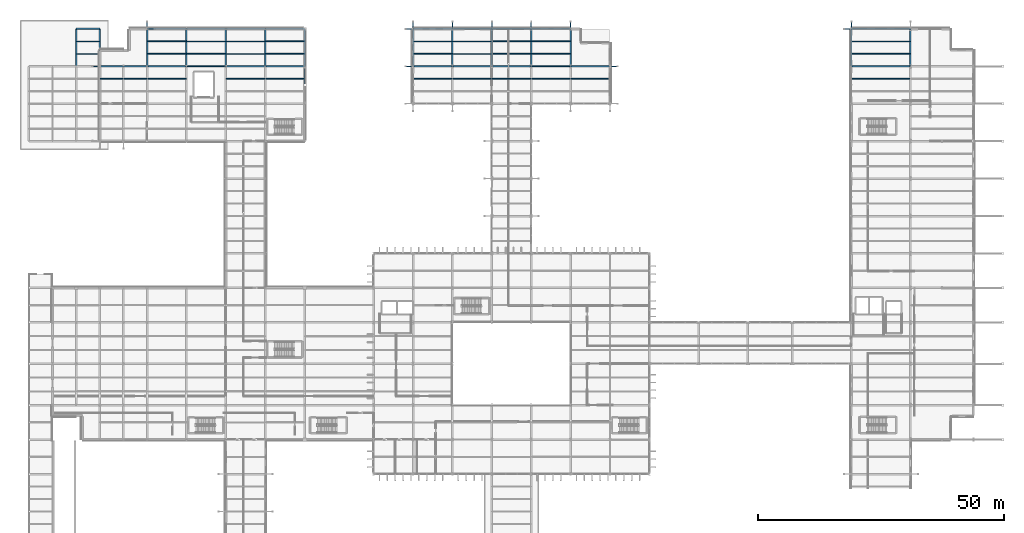
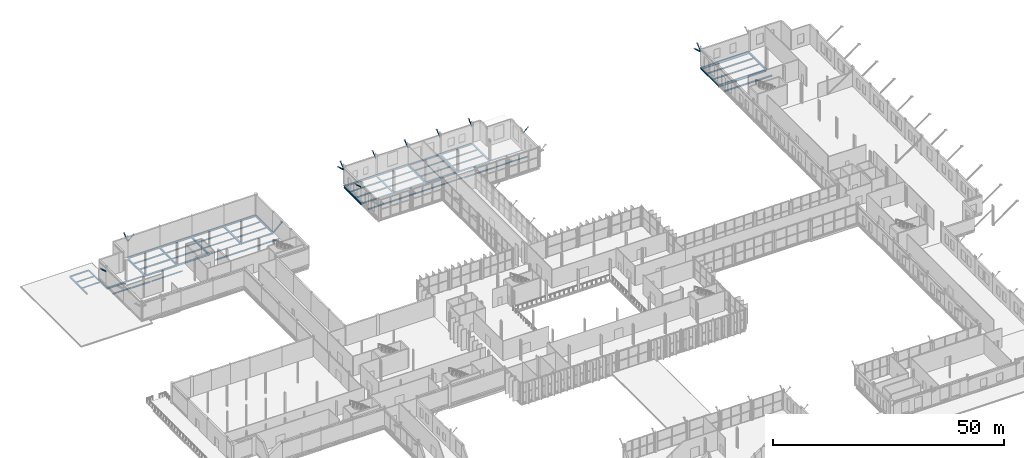
# One storey, part 97 of 147: 67 beams, 14 members.
"""IFC4 building model written with IfcOpenShell, lengths in metres."""

import ifcopenshell
import ifcopenshell.guid

model = None  # the IFC model being written
_history = None  # IfcOwnerHistory: only IFC2X3 demands one
_inside = {}  # id of a spatial element -> (the spatial element, [elements in it])
_under = {}  # id of a project, library or spatial element -> (it, [spatial elements below it])
_declared = {}  # id of a project -> (the project, [libraries it declares])
_typed = {}  # id of a type object -> (the type object, [elements of that type])
_made_of = {}  # id of a material, layer set ... -> (it, [elements and type objects made of it])


def new_model(schema):
    """Start an empty IFC model of exactly this schema.

    Asked for "IFC4X3", IfcOpenShell would pick the latest addendum, in which some entities
    have other attributes; the version numbers below select the first issue.
    IFC2X3 requires an IfcOwnerHistory on every rooted entity: one is made here for all.
    """
    global model, _history
    if schema == "IFC4X3":
        model = ifcopenshell.file(schema_version=(4, 3, 0, 0))
    else:
        model = ifcopenshell.file(schema=schema)
    _inside.clear()
    _under.clear()
    _declared.clear()
    _typed.clear()
    _made_of.clear()
    _history = None
    if model.schema == "IFC2X3":
        org = make("IfcOrganization", Name="unknown")
        user = make(
            "IfcPersonAndOrganization",
            ThePerson=make("IfcPerson", FamilyName="unknown"),
            TheOrganization=org,
        )
        app = make(
            "IfcApplication",
            ApplicationDeveloper=org,
            Version="unknown",
            ApplicationFullName="unknown",
            ApplicationIdentifier="unknown",
        )
        _history = make(
            "IfcOwnerHistory",
            OwningUser=user,
            OwningApplication=app,
            ChangeAction="ADDED",
            CreationDate=0,
        )
    return model


def make(cls, **values):
    """One entity of the class cls with the attributes given. An attribute that is None is left unset."""
    return model.create_entity(
        cls, **{name: value for name, value in values.items() if value is not None}
    )


def rooted(cls, **values):
    """An entity with a GlobalId (a new one), such as an element, a storey or a relation."""
    return make(cls, GlobalId=ifcopenshell.guid.new(), OwnerHistory=_history, **values)


def si_unit(unit_type, name, prefix=None):
    """IfcSIUnit, for example si_unit("LENGTHUNIT", "METRE", prefix="MILLI")."""
    return make("IfcSIUnit", UnitType=unit_type, Prefix=prefix, Name=name)


def assignment(units):
    """IfcUnitAssignment: the units of a project."""
    return None if units is None else make("IfcUnitAssignment", Units=units)


def point(xyz):
    """IfcCartesianPoint."""
    return None if xyz is None else make("IfcCartesianPoint", Coordinates=xyz)


def direction(xyz):
    """IfcDirection."""
    return None if xyz is None else make("IfcDirection", DirectionRatios=xyz)


def frame(location, z_axis=None, x_axis=None):
    """IfcAxis2Placement3D, a coordinate frame: its origin and axes. An axis left out is left unset."""
    return make(
        "IfcAxis2Placement3D",
        Location=point(location),
        Axis=direction(z_axis),
        RefDirection=direction(x_axis),
    )


def frame_2d(location, x_axis=None):
    """IfcAxis2Placement2D, a coordinate frame in the plane: its origin and x axis."""
    return make(
        "IfcAxis2Placement2D", Location=point(location), RefDirection=direction(x_axis)
    )


def origin():
    """The frame at (0, 0, 0) with its axes left unset."""
    return frame((0.0, 0.0, 0.0))


def origin_2d():
    """The frame at (0, 0) in the plane with its x axis left unset."""
    return frame_2d((0.0, 0.0))


def place(relative_to, where):
    """IfcLocalPlacement: puts the frame where relative to a parent placement (None: the world)."""
    return make(
        "IfcLocalPlacement", PlacementRelTo=relative_to, RelativePlacement=where
    )


def context(
    kind, dimensions, precision=None, world=None, true_north=None, identifier=None
):
    """IfcGeometricRepresentationContext, for example the 3D "Model" context."""
    return make(
        "IfcGeometricRepresentationContext",
        ContextIdentifier=identifier,
        ContextType=kind,
        CoordinateSpaceDimension=dimensions,
        Precision=precision,
        WorldCoordinateSystem=world,
        TrueNorth=true_north,
    )


def subcontext(parent, identifier, kind, view, scale=None):
    """IfcGeometricRepresentationSubContext, for example "Body" below "Model"."""
    return make(
        "IfcGeometricRepresentationSubContext",
        ContextIdentifier=identifier,
        ContextType=kind,
        ParentContext=parent,
        TargetScale=scale,
        TargetView=view,
    )


def project(units=None, contexts=None):
    """IfcProject with its units and contexts."""
    return rooted(
        "IfcProject",
        Name="project",
        RepresentationContexts=contexts,
        UnitsInContext=assignment(units),
    )


def spatial(cls, under=None, at=None, **own):
    """A site, building, storey or space (cls), placed at a placement, below another one or the project."""
    s = rooted(cls, ObjectPlacement=at, **own)
    if under is not None:
        _under.setdefault(under.id(), (under, []))[1].append(s)
    return s


def profile(cls, at=None, kind="AREA", **sizes):
    """A parametric profile (cls). Its sizes go by their IFC names, for example OverallWidth=200.0."""
    return make(cls, ProfileType=kind, Position=at, **sizes)


def hollow_rectangle(**sizes):
    """IfcRectangleHollowProfileDef."""
    return profile("IfcRectangleHollowProfileDef", **sizes)


def i_section(**sizes):
    """IfcIShapeProfileDef."""
    return profile("IfcIShapeProfileDef", **sizes)


def extrude(swept, where, along, depth):
    """IfcExtrudedAreaSolid: the profile swept, set in the frame where, extruded along a direction by depth."""
    return make(
        "IfcExtrudedAreaSolid",
        SweptArea=swept,
        Position=where,
        ExtrudedDirection=direction(along),
        Depth=depth,
    )


def shape(context_of_items, identifier, shape_type, items):
    """IfcShapeRepresentation: the items that make up one representation, for example the "Body"."""
    return make(
        "IfcShapeRepresentation",
        ContextOfItems=context_of_items,
        RepresentationIdentifier=identifier,
        RepresentationType=shape_type,
        Items=items,
    )


def material(Name=None, Category=None):
    """IfcMaterial."""
    return make("IfcMaterial", Name=Name, Category=Category)


def material_profile(
    of_material, cross_section, Name=None, Category=None, Priority=None
):
    """IfcMaterialProfile: a cross section and its material."""
    return make(
        "IfcMaterialProfile",
        Name=Name,
        Material=of_material,
        Profile=cross_section,
        Priority=Priority,
        Category=Category,
    )


def profile_set(profiles, Name=None, composite=None):
    """IfcMaterialProfileSet."""
    return make(
        "IfcMaterialProfileSet",
        Name=Name,
        MaterialProfiles=profiles,
        CompositeProfile=composite,
    )


def made_of(thing, what):
    """Note that an element or type object is made of a material, layer set ...; save() writes the relation."""
    if what is not None:
        _made_of.setdefault(what.id(), (what, []))[1].append(thing)
    return thing


def type_object(cls, material=None, **own):
    """A type object (cls), such as IfcWallType, which elements share."""
    return made_of(rooted(cls, **own), material)


def element(
    cls,
    number,
    at=None,
    inside=None,
    cuts=None,
    type_object=None,
    material=None,
    context=None,
    identifier="Body",
    shape_type=None,
    held_by="IfcProductDefinitionShape",
    body=None,
    shapes=None,
    **own,
):
    """One element of the class cls, such as IfcWall. Its Tag is "e" and its number.

    at: its placement. inside: the storey or other place that contains it. cuts: it is an
    opening in that element (IfcRelVoidsElement). A single representation is given by context,
    identifier, shape_type and body (its items); several are given by shapes. held_by: the class
    of the entity that holds the representations. save() writes the other relations.
    """
    e = rooted(cls, Tag="e%d" % number, ObjectPlacement=at, **own)
    if body is not None:
        shapes = [shape(context, identifier, shape_type, body)]
    if shapes is not None:
        e.Representation = make(held_by, Representations=shapes)
    if inside is not None:
        _inside.setdefault(inside.id(), (inside, []))[1].append(e)
    if cuts is not None:
        rooted(
            "IfcRelVoidsElement", RelatingBuildingElement=cuts, RelatedOpeningElement=e
        )
    if type_object is not None:
        _typed.setdefault(type_object.id(), (type_object, []))[1].append(e)
    return made_of(e, material)


def aggregate(whole, parts):
    """IfcRelAggregates: a whole, such as a stair, and the parts it consists of."""
    return rooted("IfcRelAggregates", RelatingObject=whole, RelatedObjects=parts)


def save(model, path):
    """Write the relations noted so far, then the file.

    IfcRelAggregates (storeys below a building ...), IfcRelContainedInSpatialStructure (elements
    in a storey), IfcRelDefinesByType, IfcRelAssociatesMaterial and IfcRelDeclares: one each for
    every whole, place, type object, material and project.
    """
    for whole, parts in _under.values():
        aggregate(whole, parts)
    for where, things in _inside.values():
        rooted(
            "IfcRelContainedInSpatialStructure",
            RelatedElements=things,
            RelatingStructure=where,
        )
    for kind, things in _typed.values():
        rooted("IfcRelDefinesByType", RelatedObjects=things, RelatingType=kind)
    for what, things in _made_of.values():
        rooted("IfcRelAssociatesMaterial", RelatedObjects=things, RelatingMaterial=what)
    for by, libraries in _declared.values():
        rooted("IfcRelDeclares", RelatingContext=by, RelatedDefinitions=libraries)
    model.write(path)


model = new_model("IFC4")

# Units and contexts
model_context = context("Model", 3, precision=1e-05, world=origin(), true_north=direction((0.0, 1.0)))
body_context = subcontext(model_context, "Body", "Model", "MODEL_VIEW")
ifc_project = project(units=[si_unit("LENGTHUNIT", "METRE"), si_unit("AREAUNIT", "SQUARE_METRE"), si_unit("VOLUMEUNIT", "CUBIC_METRE"), si_unit("PLANEANGLEUNIT", "RADIAN"), si_unit("MASSUNIT", "GRAM", prefix="KILO")], contexts=[model_context])

# Site, building, storey
site_placement = place(None, origin())
site = spatial("IfcSite", under=ifc_project, at=site_placement, CompositionType="ELEMENT")
building_placement = place(site_placement, origin())
building = spatial("IfcBuilding", under=site, at=building_placement, Name="Vekula Escarpment Museum", CompositionType="ELEMENT")
storey_placement = place(building_placement, frame((0.0, 0.0, 7.800048828125)))
storey = spatial("IfcBuildingStorey", under=building, at=storey_placement, Name="L02", CompositionType="ELEMENT", Elevation=7.800048828125)

# Beams
ifc_material_1 = material(Name="Steel S355", Category="steel")
ifc_material_profile_1 = material_profile(ifc_material_1, i_section(OverallWidth=0.280029296875, OverallDepth=0.280029296875, WebThickness=0.010498046875, FlangeThickness=0.01806640625, FilletRadius=0.02392578125, at=origin_2d()), Name="HEB 280")
ifc_profile_set_1 = profile_set([ifc_material_profile_1], Name="Steel S355")
beam_type_1 = type_object("IfcBeamType", Name="BM-GIRD-HEB280", PredefinedType="BEAM", material=ifc_profile_set_1)
beam_1_placement = place(storey_placement, frame((19.199951171875, 128.39990234375, -0.4599609375), z_axis=(1.0, 0.0, 0.0), x_axis=(0.0, 1.0, 0.0)))
element("IfcBeam", 1, at=beam_1_placement, inside=storey, type_object=beam_type_1, Name="Beam X L02 0999", PredefinedType="BEAM", context=body_context, shape_type="SweptSolid", body=[
    extrude(i_section(OverallWidth=0.280029296875, OverallDepth=0.280029296875, WebThickness=0.010498046875, FlangeThickness=0.01806640625, FilletRadius=0.02392578125, at=origin_2d()), origin(), (0.0, 0.0, 1.0), 4.800048828125),
])
ifc_material_2 = material(Name="Steel S355", Category="steel")
ifc_material_profile_2 = material_profile(ifc_material_2, i_section(OverallWidth=0.300048828125, OverallDepth=0.300048828125, WebThickness=0.010986328125, FlangeThickness=0.01904296875, FilletRadius=0.027099609375, at=origin_2d()), Name="HEB 300")
ifc_profile_set_2 = profile_set([ifc_material_profile_2], Name="Steel S355")
beam_type_2 = type_object("IfcBeamType", Name="BM-GIRD-HEB300", PredefinedType="BEAM", material=ifc_profile_set_2)
for number, where, z_axis, x_axis, name in (
    (2, (48.0, 128.39990234375, -0.469970703125), (1.0, 0.0, 0.0), (0.0, 1.0, 0.0), "Beam X L02 1003"),
    (3, (78.0, 128.39990234375, -0.41015625), (1.0, 0.0, 0.0), (0.0, 1.0, 0.0), "Beam X L02 1004"),
):
    element("IfcBeam", number, at=place(storey_placement, frame(where, z_axis=z_axis, x_axis=x_axis)), inside=storey, type_object=beam_type_2, Name=name, PredefinedType="BEAM", context=body_context, shape_type="SweptSolid", body=[
        extrude(i_section(OverallWidth=0.300048828125, OverallDepth=0.300048828125, WebThickness=0.010986328125, FlangeThickness=0.01904296875, FilletRadius=0.027099609375, at=origin_2d()), origin(), (0.0, 0.0, 1.0), 8.0),
    ])
ifc_material_3 = material(Name="Steel S355", Category="steel")
ifc_material_profile_3 = material_profile(ifc_material_3, i_section(OverallWidth=0.300048828125, OverallDepth=0.360107421875, WebThickness=0.012451171875, FlangeThickness=0.0224609375, FilletRadius=0.027099609375, at=origin_2d()), Name="HEB 360")
ifc_profile_set_3 = profile_set([ifc_material_profile_3], Name="Steel S355")
beam_type_3 = type_object("IfcBeamType", Name="BM-GIRD-HEB360", PredefinedType="BEAM", material=ifc_profile_set_3)
beam_2_placement = place(storey_placement, frame((86.0, 128.39990234375, -0.43994140625), z_axis=(1.0, 0.0, 0.0), x_axis=(0.0, 1.0, 0.0)))
element("IfcBeam", 4, at=beam_2_placement, inside=storey, type_object=beam_type_3, Name="Beam X L02 1005", PredefinedType="BEAM", context=body_context, shape_type="SweptSolid", body=[
    extrude(i_section(OverallWidth=0.300048828125, OverallDepth=0.360107421875, WebThickness=0.012451171875, FlangeThickness=0.0224609375, FilletRadius=0.027099609375, at=origin_2d()), origin(), (0.0, 0.0, 1.0), 8.0),
])
ifc_material_4 = material(Name="Steel S355", Category="steel")
ifc_material_profile_4 = material_profile(ifc_material_4, i_section(OverallWidth=0.300048828125, OverallDepth=0.449951171875, WebThickness=0.013916015625, FlangeThickness=0.02587890625, FilletRadius=0.027099609375, at=origin_2d()), Name="HEB 450")
ifc_profile_set_4 = profile_set([ifc_material_profile_4], Name="Steel S355")
beam_type_4 = type_object("IfcBeamType", Name="BM-GIRD-HEB450", PredefinedType="BEAM", material=ifc_profile_set_4)
beam_3_placement = place(storey_placement, frame((14.39990234375, 128.39990234375, -0.545166015625), z_axis=(1.0, 0.0, 0.0), x_axis=(0.0, 1.0, 0.0)))
element("IfcBeam", 5, at=beam_3_placement, inside=storey, type_object=beam_type_4, Name="Beam X L02 0998", PredefinedType="BEAM", context=body_context, shape_type="SweptSolid", body=[
    extrude(i_section(OverallWidth=0.300048828125, OverallDepth=0.449951171875, WebThickness=0.013916015625, FlangeThickness=0.02587890625, FilletRadius=0.027099609375, at=origin_2d()), origin(), (0.0, 0.0, 1.0), 4.800048828125),
])
for number, where, z_axis, x_axis, name in (
    (6, (24.0, 128.39990234375, -0.545166015625), (1.0, 0.0, 0.0), (0.0, 1.0, 0.0), "Beam X L02 1000"),
    (7, (94.0, 128.39990234375, -0.485107421875), (1.0, 0.0, 0.0), (0.0, 1.0, 0.0), "Beam X L02 1006"),
):
    element("IfcBeam", number, at=place(storey_placement, frame(where, z_axis=z_axis, x_axis=x_axis)), inside=storey, type_object=beam_type_4, Name=name, PredefinedType="BEAM", context=body_context, shape_type="SweptSolid", body=[
        extrude(i_section(OverallWidth=0.300048828125, OverallDepth=0.449951171875, WebThickness=0.013916015625, FlangeThickness=0.02587890625, FilletRadius=0.027099609375, at=origin_2d()), origin(), (0.0, 0.0, 1.0), 8.0),
    ])
ifc_material_5 = material(Name="Steel S355", Category="steel")
ifc_material_profile_5 = material_profile(ifc_material_5, i_section(OverallWidth=0.300048828125, OverallDepth=0.5, WebThickness=0.014404296875, FlangeThickness=0.028076171875, FilletRadius=0.027099609375, at=origin_2d()), Name="HEB 500")
ifc_profile_set_5 = profile_set([ifc_material_profile_5], Name="Steel S355")
beam_type_5 = type_object("IfcBeamType", Name="BM-GIRD-HEB500", PredefinedType="BEAM", material=ifc_profile_set_5)
for number, where, z_axis, x_axis, name in (
    (8, (24.0, 128.39990234375, -0.570068359375), (0.0, 1.0, 0.0), (-1.0, 0.0, 0.0), "Beam Y L02 1068"),
    (9, (32.0, 128.39990234375, -0.570068359375), (0.0, 1.0, 0.0), (-1.0, 0.0, 0.0), "Beam Y L02 1078"),
    (10, (40.0, 128.39990234375, -0.570068359375), (0.0, 1.0, 0.0), (-1.0, 0.0, 0.0), "Beam Y L02 1096"),
    (11, (48.0, 128.39990234375, -0.570068359375), (0.0, 1.0, 0.0), (-1.0, 0.0, 0.0), "Beam Y L02 1114"),
    (12, (56.0, 128.39990234375, -0.570068359375), (0.0, 1.0, 0.0), (-1.0, 0.0, 0.0), "Beam Y L02 1124"),
    (13, (78.0, 128.39990234375, -0.510009765625), (0.0, 1.0, 0.0), (-1.0, 0.0, 0.0), "Beam Y L02 1141"),
    (14, (94.0, 128.39990234375, -0.510009765625), (0.0, 1.0, 0.0), (-1.0, 0.0, 0.0), "Beam Y L02 1167"),
    (15, (102.0, 128.39990234375, -0.510009765625), (0.0, 1.0, 0.0), (-1.0, 0.0, 0.0), "Beam Y L02 1183"),
    (16, (179.0, 128.39990234375, -0.510009765625), (0.0, 1.0, 0.0), (-1.0, 0.0, 0.0), "Beam Y L02 1257"),
):
    element("IfcBeam", number, at=place(storey_placement, frame(where, z_axis=z_axis, x_axis=x_axis)), inside=storey, type_object=beam_type_5, Name=name, PredefinedType="BEAM", context=body_context, shape_type="SweptSolid", body=[
        extrude(i_section(OverallWidth=0.300048828125, OverallDepth=0.5, WebThickness=0.014404296875, FlangeThickness=0.028076171875, FilletRadius=0.027099609375, at=origin_2d()), origin(), (0.0, 0.0, 1.0), 7.60009765625),
    ])
ifc_material_6 = material(Name="Steel S355", Category="steel")
ifc_material_profile_6 = material_profile(ifc_material_6, i_section(OverallWidth=0.300048828125, OverallDepth=0.60009765625, WebThickness=0.015380859375, FlangeThickness=0.030029296875, FilletRadius=0.027099609375, at=origin_2d()), Name="HEB 600")
ifc_profile_set_6 = profile_set([ifc_material_profile_6], Name="Steel S355")
beam_type_6 = type_object("IfcBeamType", Name="BM-GIRD-HEB600", PredefinedType="BEAM", material=ifc_profile_set_6)
for number, where, z_axis, x_axis, name in (
    (17, (167.0, 128.39990234375, -0.56005859375), (1.0, 0.0, 0.0), (0.0, 1.0, 0.0), "Beam X L02 1009"),
    (18, (167.0, 136.0, -0.56005859375), (1.0, 0.0, 0.0), (0.0, 1.0, 0.0), "Beam X L02 1020"),
):
    element("IfcBeam", number, at=place(storey_placement, frame(where, z_axis=z_axis, x_axis=x_axis)), inside=storey, type_object=beam_type_6, Name=name, PredefinedType="BEAM", context=body_context, shape_type="SweptSolid", body=[
        extrude(i_section(OverallWidth=0.300048828125, OverallDepth=0.60009765625, WebThickness=0.015380859375, FlangeThickness=0.030029296875, FilletRadius=0.027099609375, at=origin_2d()), origin(), (0.0, 0.0, 1.0), 12.0),
    ])
ifc_material_7 = material(Name="Steel S355", Category="steel")
ifc_material_profile_7 = material_profile(ifc_material_7, i_section(OverallWidth=0.18994140625, OverallDepth=0.449951171875, WebThickness=0.009521484375, FlangeThickness=0.0146484375, FilletRadius=0.02099609375, at=origin_2d()), Name="IPE 450")
ifc_profile_set_7 = profile_set([ifc_material_profile_7], Name="Steel S355")
beam_type_7 = type_object("IfcBeamType", Name="BM-GIRD-IPE450", PredefinedType="BEAM", material=ifc_profile_set_7)
for number, where, z_axis, x_axis, name in (
    (19, (32.0, 128.39990234375, -0.545166015625), (1.0, 0.0, 0.0), (0.0, 1.0, 0.0), "Beam X L02 1001"),
    (20, (102.0, 128.39990234375, -0.485107421875), (1.0, 0.0, 0.0), (0.0, 1.0, 0.0), "Beam X L02 1007"),
):
    element("IfcBeam", number, at=place(storey_placement, frame(where, z_axis=z_axis, x_axis=x_axis)), inside=storey, type_object=beam_type_7, Name=name, PredefinedType="BEAM", context=body_context, shape_type="SweptSolid", body=[
        extrude(i_section(OverallWidth=0.18994140625, OverallDepth=0.449951171875, WebThickness=0.009521484375, FlangeThickness=0.0146484375, FilletRadius=0.02099609375, at=origin_2d()), origin(), (0.0, 0.0, 1.0), 8.0),
    ])
ifc_material_8 = material(Name="Steel S355", Category="steel")
ifc_material_profile_8 = material_profile(ifc_material_8, i_section(OverallWidth=0.1201171875, OverallDepth=0.239990234375, WebThickness=0.006103515625, FlangeThickness=0.009765625, FilletRadius=0.014892578125, at=origin_2d()), Name="IPE 240")
ifc_profile_set_8 = profile_set([ifc_material_profile_8], Name="Steel S355")
beam_type_8 = type_object("IfcBeamType", Name="BM-JST-IPE240", PredefinedType="JOIST", material=ifc_profile_set_8)
for number, where, z_axis, x_axis, name in (
    (21, (9.68994140625, 130.933349609375, -0.320068359375), (1.0, 0.0, 0.0), (0.0, 1.0, 0.0), "Secondary Joist L02 0630"),
    (22, (9.68994140625, 133.466796875, -0.320068359375), (1.0, 0.0, 0.0), (0.0, 1.0, 0.0), "Secondary Joist L02 0631"),
    (23, (14.489990234375, 125.86669921875, -0.43994140625), (1.0, 0.0, 0.0), (0.0, 1.0, 0.0), "Secondary Joist L02 0641"),
):
    element("IfcBeam", number, at=place(storey_placement, frame(where, z_axis=z_axis, x_axis=x_axis)), inside=storey, type_object=beam_type_8, Name=name, PredefinedType="JOIST", context=body_context, shape_type="SweptSolid", body=[
        extrude(i_section(OverallWidth=0.1201171875, OverallDepth=0.239990234375, WebThickness=0.006103515625, FlangeThickness=0.009765625, FilletRadius=0.014892578125, at=origin_2d()), origin(), (0.0, 0.0, 1.0), 4.6201171875),
    ])
for number, where, z_axis, x_axis, name in (
    (24, (40.090087890625, 130.933349609375, -0.43994140625), (1.0, 0.0, 0.0), (0.0, 1.0, 0.0), "Secondary Joist L02 0713"),
    (25, (40.090087890625, 133.466796875, -0.43994140625), (1.0, 0.0, 0.0), (0.0, 1.0, 0.0), "Secondary Joist L02 0714"),
    (26, (48.090087890625, 125.86669921875, -0.43994140625), (1.0, 0.0, 0.0), (0.0, 1.0, 0.0), "Secondary Joist L02 0724"),
    (27, (86.090087890625, 130.933349609375, -0.380126953125), (1.0, 0.0, 0.0), (0.0, 1.0, 0.0), "Secondary Joist L02 0762"),
    (28, (86.090087890625, 133.466796875, -0.380126953125), (1.0, 0.0, 0.0), (0.0, 1.0, 0.0), "Secondary Joist L02 0763"),
    (29, (94.090087890625, 125.86669921875, -0.380126953125), (1.0, 0.0, 0.0), (0.0, 1.0, 0.0), "Secondary Joist L02 0789"),
):
    element("IfcBeam", number, at=place(storey_placement, frame(where, z_axis=z_axis, x_axis=x_axis)), inside=storey, type_object=beam_type_8, Name=name, PredefinedType="JOIST", context=body_context, shape_type="SweptSolid", body=[
        extrude(i_section(OverallWidth=0.1201171875, OverallDepth=0.239990234375, WebThickness=0.006103515625, FlangeThickness=0.009765625, FilletRadius=0.014892578125, at=origin_2d()), origin(), (0.0, 0.0, 1.0), 7.81982421875),
    ])
ifc_material_9 = material(Name="Steel S355", Category="steel")
ifc_material_profile_9 = material_profile(ifc_material_9, i_section(OverallWidth=0.135009765625, OverallDepth=0.27001953125, WebThickness=0.006591796875, FlangeThickness=0.01025390625, FilletRadius=0.014892578125, at=origin_2d()), Name="IPE 270")
ifc_profile_set_9 = profile_set([ifc_material_profile_9], Name="Steel S355")
beam_type_9 = type_object("IfcBeamType", Name="BM-JST-IPE270", PredefinedType="JOIST", material=ifc_profile_set_9)
for number, where, z_axis, x_axis, name in (
    (30, (32.090087890625, 130.933349609375, -0.455078125), (1.0, 0.0, 0.0), (0.0, 1.0, 0.0), "Secondary Joist L02 0681"),
    (31, (32.090087890625, 133.466796875, -0.455078125), (1.0, 0.0, 0.0), (0.0, 1.0, 0.0), "Secondary Joist L02 0682"),
    (32, (40.090087890625, 125.86669921875, -0.455078125), (1.0, 0.0, 0.0), (0.0, 1.0, 0.0), "Secondary Joist L02 0712"),
    (33, (78.090087890625, 130.933349609375, -0.39501953125), (1.0, 0.0, 0.0), (0.0, 1.0, 0.0), "Secondary Joist L02 0753"),
    (34, (78.090087890625, 133.466796875, -0.39501953125), (1.0, 0.0, 0.0), (0.0, 1.0, 0.0), "Secondary Joist L02 0754"),
    (35, (86.090087890625, 125.86669921875, -0.39501953125), (1.0, 0.0, 0.0), (0.0, 1.0, 0.0), "Secondary Joist L02 0761"),
):
    element("IfcBeam", number, at=place(storey_placement, frame(where, z_axis=z_axis, x_axis=x_axis)), inside=storey, type_object=beam_type_9, Name=name, PredefinedType="JOIST", context=body_context, shape_type="SweptSolid", body=[
        extrude(i_section(OverallWidth=0.135009765625, OverallDepth=0.27001953125, WebThickness=0.006591796875, FlangeThickness=0.01025390625, FilletRadius=0.014892578125, at=origin_2d()), origin(), (0.0, 0.0, 1.0), 7.81982421875),
    ])
for number, where, z_axis, x_axis, name in (
    (36, (167.090087890625, 130.933349609375, -0.39501953125), (1.0, 0.0, 0.0), (0.0, 1.0, 0.0), "Secondary Joist L02 0866"),
    (37, (167.090087890625, 133.466796875, -0.39501953125), (1.0, 0.0, 0.0), (0.0, 1.0, 0.0), "Secondary Joist L02 0867"),
):
    element("IfcBeam", number, at=place(storey_placement, frame(where, z_axis=z_axis, x_axis=x_axis)), inside=storey, type_object=beam_type_9, Name=name, PredefinedType="JOIST", context=body_context, shape_type="SweptSolid", body=[
        extrude(i_section(OverallWidth=0.135009765625, OverallDepth=0.27001953125, WebThickness=0.006591796875, FlangeThickness=0.01025390625, FilletRadius=0.014892578125, at=origin_2d()), origin(), (0.0, 0.0, 1.0), 11.81982421875),
    ])
ifc_material_10 = material(Name="Steel S355", Category="steel")
ifc_material_profile_10 = material_profile(ifc_material_10, i_section(OverallWidth=0.14990234375, OverallDepth=0.300048828125, WebThickness=0.007080078125, FlangeThickness=0.0107421875, FilletRadius=0.014892578125, at=origin_2d()), Name="IPE 300")
ifc_profile_set_10 = profile_set([ifc_material_profile_10], Name="Steel S355")
beam_type_10 = type_object("IfcBeamType", Name="BM-JST-IPE300", PredefinedType="JOIST", material=ifc_profile_set_10)
for number, where, z_axis, x_axis, name in (
    (38, (24.090087890625, 130.933349609375, -0.469970703125), (1.0, 0.0, 0.0), (0.0, 1.0, 0.0), "Secondary Joist L02 0666"),
    (39, (24.090087890625, 133.466796875, -0.469970703125), (1.0, 0.0, 0.0), (0.0, 1.0, 0.0), "Secondary Joist L02 0667"),
    (40, (78.090087890625, 125.86669921875, -0.41015625), (1.0, 0.0, 0.0), (0.0, 1.0, 0.0), "Secondary Joist L02 0752"),
):
    element("IfcBeam", number, at=place(storey_placement, frame(where, z_axis=z_axis, x_axis=x_axis)), inside=storey, type_object=beam_type_10, Name=name, PredefinedType="JOIST", context=body_context, shape_type="SweptSolid", body=[
        extrude(i_section(OverallWidth=0.14990234375, OverallDepth=0.300048828125, WebThickness=0.007080078125, FlangeThickness=0.0107421875, FilletRadius=0.014892578125, at=origin_2d()), origin(), (0.0, 0.0, 1.0), 7.81982421875),
    ])
beam_4_placement = place(storey_placement, frame((167.090087890625, 125.86669921875, -0.41015625), z_axis=(1.0, 0.0, 0.0), x_axis=(0.0, 1.0, 0.0)))
element("IfcBeam", 41, at=beam_4_placement, inside=storey, type_object=beam_type_10, Name="Secondary Joist L02 0865", PredefinedType="JOIST", context=body_context, shape_type="SweptSolid", body=[
    extrude(i_section(OverallWidth=0.14990234375, OverallDepth=0.300048828125, WebThickness=0.007080078125, FlangeThickness=0.0107421875, FilletRadius=0.014892578125, at=origin_2d()), origin(), (0.0, 0.0, 1.0), 11.81982421875),
])
ifc_material_11 = material(Name="Steel S355", Category="steel")
ifc_material_profile_11 = material_profile(ifc_material_11, i_section(OverallWidth=0.159912109375, OverallDepth=0.330078125, WebThickness=0.007568359375, FlangeThickness=0.011474609375, FilletRadius=0.01806640625, at=origin_2d()), Name="IPE 330")
ifc_profile_set_11 = profile_set([ifc_material_profile_11], Name="Steel S355")
beam_type_11 = type_object("IfcBeamType", Name="BM-JST-IPE330", PredefinedType="JOIST", material=ifc_profile_set_11)
for number, where, z_axis, x_axis, name in (
    (42, (24.090087890625, 125.86669921875, -0.485107421875), (1.0, 0.0, 0.0), (0.0, 1.0, 0.0), "Secondary Joist L02 0665"),
    (43, (102.090087890625, 130.933349609375, -0.425048828125), (1.0, 0.0, 0.0), (0.0, 1.0, 0.0), "Secondary Joist L02 0802"),
    (44, (102.090087890625, 133.466796875, -0.425048828125), (1.0, 0.0, 0.0), (0.0, 1.0, 0.0), "Secondary Joist L02 0803"),
    (45, (110.090087890625, 125.86669921875, -0.425048828125), (1.0, 0.0, 0.0), (0.0, 1.0, 0.0), "Secondary Joist L02 0815"),
):
    element("IfcBeam", number, at=place(storey_placement, frame(where, z_axis=z_axis, x_axis=x_axis)), inside=storey, type_object=beam_type_11, Name=name, PredefinedType="JOIST", context=body_context, shape_type="SweptSolid", body=[
        extrude(i_section(OverallWidth=0.159912109375, OverallDepth=0.330078125, WebThickness=0.007568359375, FlangeThickness=0.011474609375, FilletRadius=0.01806640625, at=origin_2d()), origin(), (0.0, 0.0, 1.0), 7.81982421875),
    ])
ifc_material_12 = material(Name="Steel S355", Category="steel")
ifc_material_profile_12 = material_profile(ifc_material_12, i_section(OverallWidth=0.169921875, OverallDepth=0.360107421875, WebThickness=0.008056640625, FlangeThickness=0.0126953125, FilletRadius=0.01806640625, at=origin_2d()), Name="IPE 360")
ifc_profile_set_12 = profile_set([ifc_material_profile_12], Name="Steel S355")
beam_type_12 = type_object("IfcBeamType", Name="BM-JST-IPE360", PredefinedType="JOIST", material=ifc_profile_set_12)
beam_5_placement = place(storey_placement, frame((19.2900390625, 125.86669921875, -0.5), z_axis=(1.0, 0.0, 0.0), x_axis=(0.0, 1.0, 0.0)))
element("IfcBeam", 46, at=beam_5_placement, inside=storey, type_object=beam_type_12, Name="Secondary Joist L02 0651", PredefinedType="JOIST", context=body_context, shape_type="SweptSolid", body=[
    extrude(i_section(OverallWidth=0.169921875, OverallDepth=0.360107421875, WebThickness=0.008056640625, FlangeThickness=0.0126953125, FilletRadius=0.01806640625, at=origin_2d()), origin(), (0.0, 0.0, 1.0), 4.619873046875),
])
for number, where, z_axis, x_axis, name in (
    (47, (48.090087890625, 130.933349609375, -0.5), (1.0, 0.0, 0.0), (0.0, 1.0, 0.0), "Secondary Joist L02 0725"),
    (48, (48.090087890625, 133.466796875, -0.5), (1.0, 0.0, 0.0), (0.0, 1.0, 0.0), "Secondary Joist L02 0726"),
    (49, (94.090087890625, 130.933349609375, -0.43994140625), (1.0, 0.0, 0.0), (0.0, 1.0, 0.0), "Secondary Joist L02 0790"),
    (50, (94.090087890625, 133.466796875, -0.43994140625), (1.0, 0.0, 0.0), (0.0, 1.0, 0.0), "Secondary Joist L02 0791"),
    (51, (102.090087890625, 125.86669921875, -0.43994140625), (1.0, 0.0, 0.0), (0.0, 1.0, 0.0), "Secondary Joist L02 0801"),
):
    element("IfcBeam", number, at=place(storey_placement, frame(where, z_axis=z_axis, x_axis=x_axis)), inside=storey, type_object=beam_type_12, Name=name, PredefinedType="JOIST", context=body_context, shape_type="SweptSolid", body=[
        extrude(i_section(OverallWidth=0.169921875, OverallDepth=0.360107421875, WebThickness=0.008056640625, FlangeThickness=0.0126953125, FilletRadius=0.01806640625, at=origin_2d()), origin(), (0.0, 0.0, 1.0), 7.81982421875),
    ])
ifc_material_13 = material(Name="Steel S355", Category="steel")
ifc_material_profile_13 = material_profile(ifc_material_13, i_section(OverallWidth=0.239990234375, OverallDepth=0.22998046875, WebThickness=0.007568359375, FlangeThickness=0.011962890625, FilletRadius=0.02099609375, at=origin_2d()), Name="HEA 240")
ifc_profile_set_13 = profile_set([ifc_material_profile_13], Name="Steel S355")
beam_type_13 = type_object("IfcBeamType", Name="BM-SPAN-HEA240", PredefinedType="SPANDREL", material=ifc_profile_set_13)
for number, where, z_axis, x_axis, name in (
    (52, (40.0, 128.39990234375, -0.43505859375), (1.0, 0.0, 0.0), (0.0, 1.0, 0.0), "Beam X L02 1002"),
    (53, (110.0, 128.39990234375, -0.375), (1.0, 0.0, 0.0), (0.0, 1.0, 0.0), "Beam X L02 1008"),
):
    element("IfcBeam", number, at=place(storey_placement, frame(where, z_axis=z_axis, x_axis=x_axis)), inside=storey, type_object=beam_type_13, Name=name, PredefinedType="SPANDREL", context=body_context, shape_type="SweptSolid", body=[
        extrude(i_section(OverallWidth=0.239990234375, OverallDepth=0.22998046875, WebThickness=0.007568359375, FlangeThickness=0.011962890625, FilletRadius=0.02099609375, at=origin_2d()), origin(), (0.0, 0.0, 1.0), 8.0),
    ])
ifc_material_14 = material(Name="Steel S355", Category="steel")
ifc_material_profile_14 = material_profile(ifc_material_14, i_section(OverallWidth=0.280029296875, OverallDepth=0.27001953125, WebThickness=0.008056640625, FlangeThickness=0.012939453125, FilletRadius=0.02392578125, at=origin_2d()), Name="HEA 280")
ifc_profile_set_14 = profile_set([ifc_material_profile_14], Name="Steel S355")
beam_type_14 = type_object("IfcBeamType", Name="BM-SPAN-HEA280", PredefinedType="SPANDREL", material=ifc_profile_set_14)
beam_6_placement = place(storey_placement, frame((9.60009765625, 136.0, -0.3349609375), z_axis=(1.0, 0.0, 0.0), x_axis=(0.0, 1.0, 0.0)))
element("IfcBeam", 54, at=beam_6_placement, inside=storey, type_object=beam_type_14, Name="Beam X L02 1011", PredefinedType="SPANDREL", context=body_context, shape_type="SweptSolid", body=[
    extrude(i_section(OverallWidth=0.280029296875, OverallDepth=0.27001953125, WebThickness=0.008056640625, FlangeThickness=0.012939453125, FilletRadius=0.02392578125, at=origin_2d()), origin(), (0.0, 0.0, 1.0), 4.7998046875),
])
ifc_material_15 = material(Name="Steel S355", Category="steel")
ifc_material_profile_15 = material_profile(ifc_material_15, i_section(OverallWidth=0.300048828125, OverallDepth=0.2900390625, WebThickness=0.008544921875, FlangeThickness=0.013916015625, FilletRadius=0.027099609375, at=origin_2d()), Name="HEA 300")
ifc_profile_set_15 = profile_set([ifc_material_profile_15], Name="Steel S355")
beam_type_15 = type_object("IfcBeamType", Name="BM-SPAN-HEA300", PredefinedType="SPANDREL", material=ifc_profile_set_15)
for number, where, z_axis, x_axis, name in (
    (55, (9.60009765625, 128.39990234375, -0.344970703125), (0.0, 1.0, 0.0), (-1.0, 0.0, 0.0), "Beam Y L02 1046"),
    (56, (14.39990234375, 128.39990234375, -0.465087890625), (0.0, 1.0, 0.0), (-1.0, 0.0, 0.0), "Beam Y L02 1053"),
    (57, (86.0, 128.39990234375, -0.405029296875), (0.0, 1.0, 0.0), (-1.0, 0.0, 0.0), "Beam Y L02 1151"),
    (58, (110.0, 128.39990234375, -0.405029296875), (0.0, 1.0, 0.0), (-1.0, 0.0, 0.0), "Beam Y L02 1193"),
    (59, (167.0, 128.39990234375, -0.405029296875), (0.0, 1.0, 0.0), (-1.0, 0.0, 0.0), "Beam Y L02 1238"),
):
    element("IfcBeam", number, at=place(storey_placement, frame(where, z_axis=z_axis, x_axis=x_axis)), inside=storey, type_object=beam_type_15, Name=name, PredefinedType="SPANDREL", context=body_context, shape_type="SweptSolid", body=[
        extrude(i_section(OverallWidth=0.300048828125, OverallDepth=0.2900390625, WebThickness=0.008544921875, FlangeThickness=0.013916015625, FilletRadius=0.027099609375, at=origin_2d()), origin(), (0.0, 0.0, 1.0), 7.60009765625),
    ])
ifc_material_16 = material(Name="Steel S355", Category="steel")
ifc_material_profile_16 = material_profile(ifc_material_16, i_section(OverallWidth=0.300048828125, OverallDepth=0.389892578125, WebThickness=0.010986328125, FlangeThickness=0.01904296875, FilletRadius=0.027099609375, at=origin_2d()), Name="HEA 400")
ifc_profile_set_16 = profile_set([ifc_material_profile_16], Name="Steel S355")
beam_type_16 = type_object("IfcBeamType", Name="BM-SPAN-HEA400", PredefinedType="SPANDREL", material=ifc_profile_set_16)
for number, where, z_axis, x_axis, name in (
    (60, (24.0, 136.0, -0.51513671875), (1.0, 0.0, 0.0), (0.0, 1.0, 0.0), "Beam X L02 1012"),
    (61, (32.0, 136.0, -0.51513671875), (1.0, 0.0, 0.0), (0.0, 1.0, 0.0), "Beam X L02 1013"),
    (62, (40.0, 136.0, -0.51513671875), (1.0, 0.0, 0.0), (0.0, 1.0, 0.0), "Beam X L02 1014"),
    (63, (48.0, 136.0, -0.51513671875), (1.0, 0.0, 0.0), (0.0, 1.0, 0.0), "Beam X L02 1015"),
    (64, (78.0, 136.0, -0.455078125), (1.0, 0.0, 0.0), (0.0, 1.0, 0.0), "Beam X L02 1016"),
    (65, (86.0, 136.0, -0.455078125), (1.0, 0.0, 0.0), (0.0, 1.0, 0.0), "Beam X L02 1017"),
    (66, (94.0, 136.0, -0.455078125), (1.0, 0.0, 0.0), (0.0, 1.0, 0.0), "Beam X L02 1018"),
    (67, (102.0, 136.0, -0.455078125), (1.0, 0.0, 0.0), (0.0, 1.0, 0.0), "Beam X L02 1019"),
):
    element("IfcBeam", number, at=place(storey_placement, frame(where, z_axis=z_axis, x_axis=x_axis)), inside=storey, type_object=beam_type_16, Name=name, PredefinedType="SPANDREL", context=body_context, shape_type="SweptSolid", body=[
        extrude(i_section(OverallWidth=0.300048828125, OverallDepth=0.389892578125, WebThickness=0.010986328125, FlangeThickness=0.01904296875, FilletRadius=0.027099609375, at=origin_2d()), origin(), (0.0, 0.0, 1.0), 8.0),
    ])

# Members
ifc_material_17 = material(Name="Steel S355", Category="steel")
ifc_material_profile_17 = material_profile(ifc_material_17, hollow_rectangle(XDim=0.260009765625, YDim=0.260009765625, WallThickness=0.012451171875, InnerFilletRadius=0.012451171875, OuterFilletRadius=0.02490234375, at=origin_2d()), Name="SHS 260x260x12.5")
ifc_profile_set_17 = profile_set([ifc_material_profile_17], Name="Steel S355")
member_type_1 = type_object("IfcMemberType", Name="MB-BRACE-SHS260", PredefinedType="BRACE", material=ifc_profile_set_17)
member_1_placement = place(storey_placement, frame((56.0, 128.14990234375, 0.02001953125), z_axis=(0.0, -0.596207732533, 0.802830206001), x_axis=(1.0, 0.0, 0.0)))
element("IfcMember", 68, at=member_1_placement, inside=storey, type_object=member_type_1, Name="Lateral Braced Frame L02-05R", PredefinedType="BRACE", context=body_context, shape_type="SweptSolid", body=[
    extrude(hollow_rectangle(XDim=0.260009765625, YDim=0.260009765625, WallThickness=0.012451171875, InnerFilletRadius=0.012451171875, OuterFilletRadius=0.02490234375, at=origin_2d()), origin(), (0.0, 0.0, 1.0), 5.953857421875),
])
ifc_material_18 = material(Name="Steel S355", Category="steel")
ifc_material_profile_18 = material_profile(ifc_material_18, hollow_rectangle(XDim=0.10009765625, YDim=0.199951171875, WallThickness=0.008056640625, InnerFilletRadius=0.008056640625, OuterFilletRadius=0.01611328125, at=origin_2d()), Name="RHS 200x100x8")
ifc_profile_set_18 = profile_set([ifc_material_profile_18], Name="Steel S355")
member_type_2 = type_object("IfcMemberType", Name="MB-SACAK-BRK", PredefinedType="STRUT", material=ifc_profile_set_18)
member_2_placement = place(storey_placement, frame((14.280029296875, 128.39990234375, 3.949951171875), z_axis=(-0.738513776389, 0.0, 0.674238386688), x_axis=(0.0, -1.0, 0.0)))
element("IfcMember", 69, at=member_2_placement, inside=storey, type_object=member_type_2, Name="Ottoman Sacak Eave Bracket L03-0034", PredefinedType="STRUT", context=body_context, shape_type="SweptSolid", body=[
    extrude(hollow_rectangle(XDim=0.10009765625, YDim=0.199951171875, WallThickness=0.008056640625, InnerFilletRadius=0.008056640625, OuterFilletRadius=0.01611328125, at=origin_2d()), origin(), (0.0, 0.0, 1.0), 1.868896484375),
])
for number, where, z_axis, x_axis, name in (
    (70, (24.1201171875, 136.0, 3.949951171875), (0.738454378718, 0.0, 0.674303441006), (0.0, 1.0, 0.0), "Ottoman Sacak Eave Bracket L03-0036"),
    (71, (24.0, 136.1201171875, 3.949951171875), (0.0, 0.738454378718, 0.674303441006), (-1.0, 0.0, 0.0), "Ottoman Sacak Eave Bracket L03-0037"),
    (72, (77.8798828125, 128.39990234375, 3.949951171875), (-0.738454378718, 0.0, 0.674303441006), (0.0, -1.0, 0.0), "Ottoman Sacak Eave Bracket L03-0051"),
    (73, (77.8798828125, 136.0, 3.949951171875), (-0.738454378718, 0.0, 0.674303441006), (0.0, -1.0, 0.0), "Ottoman Sacak Eave Bracket L03-0052"),
    (74, (78.0, 136.1201171875, 3.949951171875), (0.0, 0.738454378718, 0.674303441006), (-1.0, 0.0, 0.0), "Ottoman Sacak Eave Bracket L03-0053"),
    (75, (86.0, 136.1201171875, 3.949951171875), (0.0, 0.738454378718, 0.674303441006), (-1.0, 0.0, 0.0), "Ottoman Sacak Eave Bracket L03-0057"),
    (76, (94.0, 136.1201171875, 3.949951171875), (0.0, 0.738454378718, 0.674303441006), (-1.0, 0.0, 0.0), "Ottoman Sacak Eave Bracket L03-0063"),
    (77, (102.0, 136.1201171875, 3.949951171875), (0.0, 0.738454378718, 0.674303441006), (-1.0, 0.0, 0.0), "Ottoman Sacak Eave Bracket L03-0069"),
    (78, (110.0, 136.1201171875, 3.949951171875), (0.0, 0.738454378718, 0.674303441006), (-1.0, 0.0, 0.0), "Ottoman Sacak Eave Bracket L03-0073"),
    (79, (118.1201171875, 128.39990234375, 3.949951171875), (0.738454378718, 0.0, 0.674303441006), (0.0, 1.0, 0.0), "Ottoman Sacak Eave Bracket L03-0079"),
    (80, (166.8798828125, 136.0, 3.949951171875), (-0.738454378718, 0.0, 0.674303441006), (0.0, -1.0, 0.0), "Ottoman Sacak Eave Bracket L03-0084"),
    (81, (167.0, 136.1201171875, 3.949951171875), (0.0, 0.738454378718, 0.674303441006), (-1.0, 0.0, 0.0), "Ottoman Sacak Eave Bracket L03-0085"),
):
    element("IfcMember", number, at=place(storey_placement, frame(where, z_axis=z_axis, x_axis=x_axis)), inside=storey, type_object=member_type_2, Name=name, PredefinedType="STRUT", context=body_context, shape_type="SweptSolid", body=[
        extrude(hollow_rectangle(XDim=0.10009765625, YDim=0.199951171875, WallThickness=0.008056640625, InnerFilletRadius=0.008056640625, OuterFilletRadius=0.01611328125, at=origin_2d()), origin(), (0.0, 0.0, 1.0), 1.86865234375),
    ])

save(model, "model.ifc")
